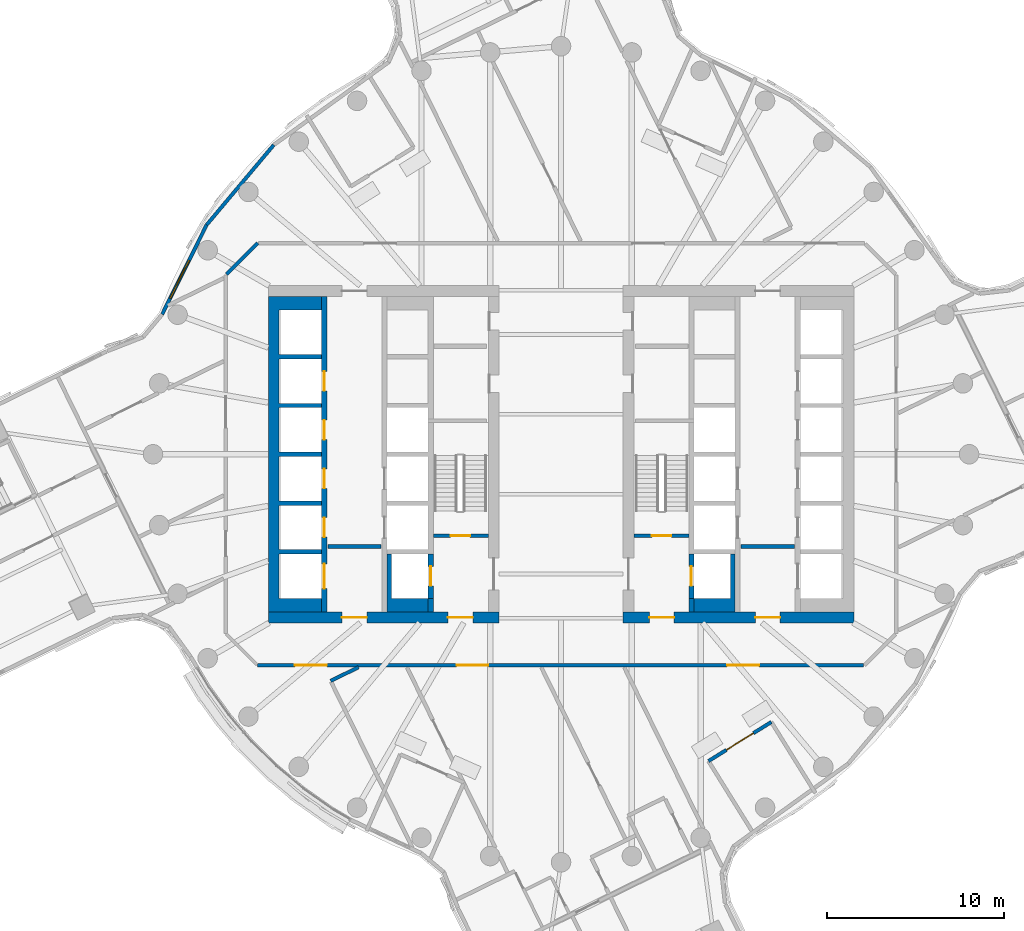
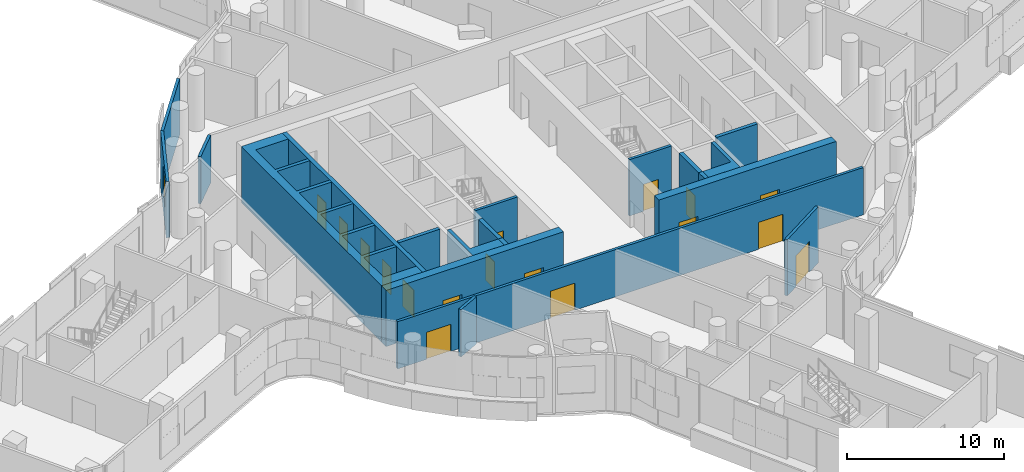
# One storey, part 12 of 23: 20 walls, 17 doors, 1 window, 18 openings.
"""IFC4 building model written with IfcOpenShell, lengths in metres."""

from ifc_helpers import new_model, si_unit, direction, frame, frame_2d, origin, place, context, subcontext, project, spatial, polyline, rectangle, outline, extrude, material, layer, layer_set, type_object, element, fill, save


model = new_model("IFC4")

# Units and contexts
model_context = context("Model", 3, precision=1e-05, world=origin(), true_north=direction((0.0, 1.0)))
body_context = subcontext(model_context, "Body", "Model", "MODEL_VIEW")
ifc_project = project(units=[si_unit("LENGTHUNIT", "METRE"), si_unit("AREAUNIT", "SQUARE_METRE"), si_unit("VOLUMEUNIT", "CUBIC_METRE"), si_unit("PLANEANGLEUNIT", "RADIAN"), si_unit("MASSUNIT", "GRAM", prefix="KILO")], contexts=[model_context])

# Site, building, storey
site_placement = place(None, origin())
site = spatial("IfcSite", under=ifc_project, at=site_placement, CompositionType="ELEMENT")
building_placement = place(site_placement, origin())
building = spatial("IfcBuilding", under=site, at=building_placement, Name="Tamarind Cross Interchange Tower", CompositionType="ELEMENT")
storey_placement = place(building_placement, frame((0.0, 0.0, 128.5)))
storey = spatial("IfcBuildingStorey", under=building, at=storey_placement, Name="L31", CompositionType="ELEMENT", Elevation=128.5)

# Wall, opening, door
ifc_material_1 = material(Name="Concrete C40", Category="concrete")
ifc_layer_1 = layer(ifc_material_1, 0.199951171875)
ifc_layer_set_1 = layer_set([ifc_layer_1], Name="Concrete C40")
wall_type_1 = type_object("IfcWallType", Name="Balcony and garden door wall", PredefinedType="SOLIDWALL", material=ifc_layer_set_1)
wall_1_placement = place(storey_placement, frame((8.310791015625, -17.294677734375, 0.0), z_axis=(0.0, 0.0, 1.0), x_axis=(0.849445624751, 0.52767616072, 0.0)))
wall_1 = element("IfcWall", 1, at=wall_1_placement, inside=storey, type_object=wall_type_1, Name="EXW-L31-WG-L31-SE", PredefinedType="SOLIDWALL", context=body_context, shape_type="SweptSolid", body=[
    extrude(rectangle(XDim=4.170166015625, YDim=0.199951171875, at=frame_2d((2.0849609375, 0.0))), origin(), (0.0, 0.0, 1.0), 4.360107421875),
])
opening_1_placement = place(wall_1_placement, frame((1.18505859375, 0.0, 0.0)))
opening_1 = element("IfcOpeningElement", 2, at=opening_1_placement, cuts=wall_1, Name="Opening D5", PredefinedType="OPENING", context=body_context, shape_type="SweptSolid", body=[
    extrude(rectangle(XDim=1.800048828125, YDim=2.39990234375, at=frame_2d((0.89990234375, 1.199951171875))), frame((0.0, 0.10986328125, 0.0), z_axis=(0.0, -1.0, 0.0), x_axis=(1.0, 0.0, 0.0)), (0.0, 0.0, 1.0), 0.219970703125),
])
ifc_material_2 = material(Name="Aluminium and toughened glass", Category="aluminium")
door_type_1 = type_object("IfcDoorType", Name="Roof garden door", OperationType="DOUBLE_DOOR_SINGLE_SWING", PredefinedType="DOOR", material=ifc_material_2)
door_1_placement = place(opening_1_placement, origin())
door_1 = element("IfcDoor", 3, at=door_1_placement, inside=storey, type_object=door_type_1, Name="DOR-L31-WG-L31-SE", OperationType="SINGLE_SWING_LEFT", OverallHeight=2.39990234375, OverallWidth=1.800048828125, PredefinedType="DOOR", context=body_context, shape_type="SweptSolid", body=[
    extrude(rectangle(XDim=1.800048828125, YDim=2.39990234375, at=frame_2d((0.89990234375, 1.199951171875))), frame((0.0, 0.02490234375, 0.0), z_axis=(0.0, -1.0, 0.0), x_axis=(1.0, 0.0, 0.0)), (0.0, 0.0, 1.0), 0.050048828125),
])
fill(opening_1, door_1)

# Wall, openings, doors
ifc_material_3 = material(Name="Concrete C70", Category="concrete")
ifc_layer_2 = layer(ifc_material_3, 0.60009765625)
ifc_layer_set_2 = layer_set([ifc_layer_2], Name="Concrete C70")
wall_type_2 = type_object("IfcWallType", Name="Core wall 600 mm Concrete C70", PredefinedType="SHEAR", material=ifc_layer_set_2)
wall_2_placement = place(storey_placement, frame((-16.5, -9.199951171875, 0.0), z_axis=(0.0, 0.0, 1.0), x_axis=(1.0, 0.0, 0.0)))
wall_2 = element("IfcWall", 4, at=wall_2_placement, inside=storey, type_object=wall_type_2, Name="Core wall CWL-L31-W-S", PredefinedType="SHEAR", context=body_context, shape_type="SweptSolid", body=[
    extrude(rectangle(XDim=13.0, YDim=0.60009765625, at=frame_2d((6.5, 0.0))), origin(), (0.0, 0.0, 1.0), 4.360107421875),
])
opening_2_placement = place(wall_2_placement, frame((4.14990234375, 0.0, 0.0)))
opening_2 = element("IfcOpeningElement", 5, at=opening_2_placement, cuts=wall_2, Name="Opening DCW1", PredefinedType="OPENING", context=body_context, shape_type="SweptSolid", body=[
    extrude(rectangle(XDim=1.39990234375, YDim=2.10009765625, at=frame_2d((0.699951171875, 1.050048828125))), frame((0.0, 0.31005859375, 0.0), z_axis=(0.0, -1.0, 0.0), x_axis=(1.0, 0.0, 0.0)), (0.0, 0.0, 1.0), 0.6201171875),
])
opening_3_placement = place(wall_2_placement, frame((10.125, 0.0, 0.0)))
opening_3 = element("IfcOpeningElement", 6, at=opening_3_placement, cuts=wall_2, Name="Opening DCWF", PredefinedType="OPENING", context=body_context, shape_type="SweptSolid", body=[
    extrude(rectangle(XDim=1.39990234375, YDim=2.10009765625, at=frame_2d((0.699951171875, 1.050048828125))), frame((0.0, 0.31005859375, 0.0), z_axis=(0.0, -1.0, 0.0), x_axis=(1.0, 0.0, 0.0)), (0.0, 0.0, 1.0), 0.6201171875),
])
ifc_material_4 = material(Name="Steel, fire-resisting", Category="steel")
door_type_2 = type_object("IfcDoorType", Name="Core fire door 1400 x 2100 FD90", OperationType="SINGLE_SWING_LEFT", PredefinedType="DOOR", material=ifc_material_4)
door_2_placement = place(opening_2_placement, origin())
door_2 = element("IfcDoor", 7, at=door_2_placement, inside=storey, type_object=door_type_2, Name="L31 lift lobby door", OperationType="SINGLE_SWING_LEFT", OverallHeight=2.10009765625, OverallWidth=1.39990234375, PredefinedType="DOOR", context=body_context, shape_type="SweptSolid", body=[
    extrude(rectangle(XDim=1.39990234375, YDim=2.10009765625, at=frame_2d((0.699951171875, 1.050048828125))), frame((0.0, 0.02490234375, 0.0), z_axis=(0.0, -1.0, 0.0), x_axis=(1.0, 0.0, 0.0)), (0.0, 0.0, 1.0), 0.050048828125),
])
fill(opening_2, door_2)
door_3_placement = place(opening_3_placement, origin())
door_3 = element("IfcDoor", 8, at=door_3_placement, inside=storey, type_object=door_type_2, Name="L31 firefighting lobby end door", OperationType="SINGLE_SWING_LEFT", OverallHeight=2.10009765625, OverallWidth=1.39990234375, PredefinedType="DOOR", context=body_context, shape_type="SweptSolid", body=[
    extrude(rectangle(XDim=1.39990234375, YDim=2.10009765625, at=frame_2d((0.699951171875, 1.050048828125))), frame((0.0, 0.02490234375, 0.0), z_axis=(0.0, -1.0, 0.0), x_axis=(1.0, 0.0, 0.0)), (0.0, 0.0, 1.0), 0.050048828125),
])
fill(opening_3, door_3)

# Wall
wall_3_placement = place(storey_placement, origin())
element("IfcWall", 9, at=wall_3_placement, inside=storey, type_object=wall_type_2, Name="Core wall CWL-L31-W-A", PredefinedType="SHEAR", context=body_context, shape_type="SweptSolid", body=[
    extrude(outline(polyline([(-13.5, -8.89990234375), (-13.5, -8.125), (-15.89990234375, -8.125), (-15.89990234375, -5.625), (-13.5, -5.625), (-13.5, -5.375), (-15.89990234375, -5.375), (-15.89990234375, -2.875), (-13.5, -2.875), (-13.5, -2.625), (-15.89990234375, -2.625), (-15.89990234375, -0.125), (-13.5, -0.125), (-13.5, 0.125), (-15.89990234375, 0.125), (-15.89990234375, 2.625), (-13.5, 2.625), (-13.5, 2.875), (-15.89990234375, 2.875), (-15.89990234375, 5.375), (-13.5, 5.375), (-13.5, 5.625), (-15.89990234375, 5.625), (-15.89990234375, 8.125), (-13.5, 8.125), (-13.5, 8.89990234375), (-15.89990234375, 8.89990234375), (-16.5, 8.89990234375), (-16.5, -8.89990234375), (-15.89990234375, -8.89990234375), (-13.5, -8.89990234375)])), origin(), (0.0, 0.0, 1.0), 4.360107421875),
])

# Wall, openings, doors
wall_4_placement = place(storey_placement, frame((16.5, -9.199951171875, 0.0), z_axis=(0.0, 0.0, 1.0), x_axis=(-1.0, 0.0, 0.0)))
wall_4 = element("IfcWall", 10, at=wall_4_placement, inside=storey, type_object=wall_type_2, Name="Core wall CWL-L31-E-S", PredefinedType="SHEAR", context=body_context, shape_type="SweptSolid", body=[
    extrude(rectangle(XDim=13.0, YDim=0.60009765625, at=frame_2d((6.5, 0.0))), origin(), (0.0, 0.0, 1.0), 4.360107421875),
])
opening_4_placement = place(wall_4_placement, frame((4.14990234375, 0.0, 0.0)))
opening_4 = element("IfcOpeningElement", 11, at=opening_4_placement, cuts=wall_4, Name="Opening DCE1", PredefinedType="OPENING", context=body_context, shape_type="SweptSolid", body=[
    extrude(rectangle(XDim=1.39990234375, YDim=2.10009765625, at=frame_2d((0.699951171875, 1.050048828125))), frame((0.0, 0.31005859375, 0.0), z_axis=(0.0, -1.0, 0.0), x_axis=(1.0, 0.0, 0.0)), (0.0, 0.0, 1.0), 0.6201171875),
])
opening_5_placement = place(wall_4_placement, frame((10.125, 0.0, 0.0)))
opening_5 = element("IfcOpeningElement", 12, at=opening_5_placement, cuts=wall_4, Name="Opening DCEF", PredefinedType="OPENING", context=body_context, shape_type="SweptSolid", body=[
    extrude(rectangle(XDim=1.39990234375, YDim=2.10009765625, at=frame_2d((0.699951171875, 1.050048828125))), frame((0.0, 0.31005859375, 0.0), z_axis=(0.0, -1.0, 0.0), x_axis=(1.0, 0.0, 0.0)), (0.0, 0.0, 1.0), 0.6201171875),
])
door_4_placement = place(opening_4_placement, origin())
door_4 = element("IfcDoor", 13, at=door_4_placement, inside=storey, type_object=door_type_2, Name="L31 lift lobby door", OperationType="SINGLE_SWING_LEFT", OverallHeight=2.10009765625, OverallWidth=1.39990234375, PredefinedType="DOOR", context=body_context, shape_type="SweptSolid", body=[
    extrude(rectangle(XDim=1.39990234375, YDim=2.10009765625, at=frame_2d((0.699951171875, 1.050048828125))), frame((0.0, 0.02490234375, 0.0), z_axis=(0.0, -1.0, 0.0), x_axis=(1.0, 0.0, 0.0)), (0.0, 0.0, 1.0), 0.050048828125),
])
fill(opening_4, door_4)
door_5_placement = place(opening_5_placement, origin())
door_5 = element("IfcDoor", 14, at=door_5_placement, inside=storey, type_object=door_type_2, Name="L31 firefighting lobby end door", OperationType="SINGLE_SWING_LEFT", OverallHeight=2.10009765625, OverallWidth=1.39990234375, PredefinedType="DOOR", context=body_context, shape_type="SweptSolid", body=[
    extrude(rectangle(XDim=1.39990234375, YDim=2.10009765625, at=frame_2d((0.699951171875, 1.050048828125))), frame((0.0, 0.02490234375, 0.0), z_axis=(0.0, -1.0, 0.0), x_axis=(1.0, 0.0, 0.0)), (0.0, 0.0, 1.0), 0.050048828125),
])
fill(opening_5, door_5)

# Walls
ifc_layer_3 = layer(ifc_material_3, 0.300048828125)
ifc_layer_set_3 = layer_set([ifc_layer_3], Name="Concrete C70")
wall_type_3 = type_object("IfcWallType", Name="Core web wall 300 mm Concrete C70", PredefinedType="SHEAR", material=ifc_layer_set_3)
wall_5_placement = place(storey_placement, origin())
element("IfcWall", 15, at=wall_5_placement, inside=storey, type_object=wall_type_3, Name="Core wall CWL-L31-W-BS", PredefinedType="SHEAR", context=body_context, shape_type="SweptSolid", body=[
    extrude(outline(polyline([(-7.5, -8.125), (-9.550048828125, -8.125), (-9.550048828125, -5.625), (-9.800048828125, -5.625), (-9.800048828125, -8.125), (-9.800048828125, -8.89990234375), (-7.5, -8.89990234375), (-7.5, -8.125)])), origin(), (0.0, 0.0, 1.0), 4.360107421875),
])
wall_6_placement = place(storey_placement, frame((-7.35009765625, -8.89990234375, 0.0), z_axis=(0.0, 0.0, 1.0), x_axis=(0.0, 1.0, 0.0)))
element("IfcWall", 16, at=wall_6_placement, inside=storey, type_object=wall_type_3, Name="Core wall CWL-L31-W-BW", PredefinedType="SHEAR", context=body_context, shape_type="SweptSolid", body=[
    extrude(rectangle(XDim=0.77490234375, YDim=0.300048828125, at=frame_2d((0.387451171875, 0.0))), origin(), (0.0, 0.0, 1.0), 4.360107421875),
])

# Wall, openings, doors
wall_7_placement = place(storey_placement, frame((-13.35009765625, -8.89990234375, 0.0), z_axis=(0.0, 0.0, 1.0), x_axis=(0.0, 1.0, 0.0)))
wall_7 = element("IfcWall", 17, at=wall_7_placement, inside=storey, type_object=wall_type_3, Name="Core wall CWL-L31-W-LA", PredefinedType="SHEAR", context=body_context, shape_type="SweptSolid", body=[
    extrude(rectangle(XDim=17.7998046875, YDim=0.300048828125, at=frame_2d((8.89990234375, 0.0))), origin(), (0.0, 0.0, 1.0), 4.360107421875),
])
opening_6_placement = place(wall_7_placement, frame((1.324951171875, 0.0, 0.0)))
opening_6 = element("IfcOpeningElement", 18, at=opening_6_placement, cuts=wall_7, Name="Opening LD1L31", PredefinedType="OPENING", context=body_context, shape_type="SweptSolid", body=[
    extrude(rectangle(XDim=1.39990234375, YDim=2.10009765625, at=frame_2d((0.699951171875, 1.050048828125))), frame((0.0, 0.159912109375, 0.0), z_axis=(0.0, -1.0, 0.0), x_axis=(1.0, 0.0, 0.0)), (0.0, 0.0, 1.0), 0.320068359375),
])
opening_7_placement = place(wall_7_placement, frame((4.22509765625, 0.0, 0.0)))
opening_7 = element("IfcOpeningElement", 19, at=opening_7_placement, cuts=wall_7, Name="Opening LD2L31", PredefinedType="OPENING", context=body_context, shape_type="SweptSolid", body=[
    extrude(rectangle(XDim=1.10009765625, YDim=2.10009765625, at=frame_2d((0.550048828125, 1.050048828125))), frame((0.0, 0.159912109375, 0.0), z_axis=(0.0, -1.0, 0.0), x_axis=(1.0, 0.0, 0.0)), (0.0, 0.0, 1.0), 0.320068359375),
])
opening_8_placement = place(wall_7_placement, frame((6.97509765625, 0.0, 0.0)))
opening_8 = element("IfcOpeningElement", 20, at=opening_8_placement, cuts=wall_7, Name="Opening LD3L31", PredefinedType="OPENING", context=body_context, shape_type="SweptSolid", body=[
    extrude(rectangle(XDim=1.10009765625, YDim=2.10009765625, at=frame_2d((0.550048828125, 1.050048828125))), frame((0.0, 0.159912109375, 0.0), z_axis=(0.0, -1.0, 0.0), x_axis=(1.0, 0.0, 0.0)), (0.0, 0.0, 1.0), 0.320068359375),
])
opening_9_placement = place(wall_7_placement, frame((9.72509765625, 0.0, 0.0)))
opening_9 = element("IfcOpeningElement", 21, at=opening_9_placement, cuts=wall_7, Name="Opening LD4L31", PredefinedType="OPENING", context=body_context, shape_type="SweptSolid", body=[
    extrude(rectangle(XDim=1.10009765625, YDim=2.10009765625, at=frame_2d((0.550048828125, 1.050048828125))), frame((0.0, 0.159912109375, 0.0), z_axis=(0.0, -1.0, 0.0), x_axis=(1.0, 0.0, 0.0)), (0.0, 0.0, 1.0), 0.320068359375),
])
opening_10_placement = place(wall_7_placement, frame((12.47509765625, 0.0, 0.0)))
opening_10 = element("IfcOpeningElement", 22, at=opening_10_placement, cuts=wall_7, Name="Opening LD5L31", PredefinedType="OPENING", context=body_context, shape_type="SweptSolid", body=[
    extrude(rectangle(XDim=1.10009765625, YDim=2.10009765625, at=frame_2d((0.550048828125, 1.050048828125))), frame((0.0, 0.159912109375, 0.0), z_axis=(0.0, -1.0, 0.0), x_axis=(1.0, 0.0, 0.0)), (0.0, 0.0, 1.0), 0.320068359375),
])
ifc_material_5 = material(Name="Stainless steel panel", Category="steel")
door_type_3 = type_object("IfcDoorType", Name="Lift landing door 1100 x 2100 E 120", OperationType="SLIDING_TO_LEFT", PredefinedType="DOOR", material=ifc_material_5)
door_6_placement = place(opening_7_placement, origin())
door_6 = element("IfcDoor", 23, at=door_6_placement, inside=storey, type_object=door_type_3, Name="L31 landing door LF2", OperationType="SLIDING_TO_LEFT", OverallHeight=2.10009765625, OverallWidth=1.10009765625, PredefinedType="DOOR", context=body_context, shape_type="SweptSolid", body=[
    extrude(rectangle(XDim=1.10009765625, YDim=2.10009765625, at=frame_2d((0.550048828125, 1.050048828125))), frame((0.0, 0.02490234375, 0.0), z_axis=(0.0, -1.0, 0.0), x_axis=(1.0, 0.0, 0.0)), (0.0, 0.0, 1.0), 0.050048828125),
])
fill(opening_7, door_6)
door_7_placement = place(opening_8_placement, origin())
door_7 = element("IfcDoor", 24, at=door_7_placement, inside=storey, type_object=door_type_3, Name="L31 landing door LF3", OperationType="SLIDING_TO_LEFT", OverallHeight=2.10009765625, OverallWidth=1.10009765625, PredefinedType="DOOR", context=body_context, shape_type="SweptSolid", body=[
    extrude(rectangle(XDim=1.10009765625, YDim=2.10009765625, at=frame_2d((0.550048828125, 1.050048828125))), frame((0.0, 0.02490234375, 0.0), z_axis=(0.0, -1.0, 0.0), x_axis=(1.0, 0.0, 0.0)), (0.0, 0.0, 1.0), 0.050048828125),
])
fill(opening_8, door_7)
door_8_placement = place(opening_9_placement, origin())
door_8 = element("IfcDoor", 25, at=door_8_placement, inside=storey, type_object=door_type_3, Name="L31 landing door LF4", OperationType="SLIDING_TO_LEFT", OverallHeight=2.10009765625, OverallWidth=1.10009765625, PredefinedType="DOOR", context=body_context, shape_type="SweptSolid", body=[
    extrude(rectangle(XDim=1.10009765625, YDim=2.10009765625, at=frame_2d((0.550048828125, 1.050048828125))), frame((0.0, 0.02490234375, 0.0), z_axis=(0.0, -1.0, 0.0), x_axis=(1.0, 0.0, 0.0)), (0.0, 0.0, 1.0), 0.050048828125),
])
fill(opening_9, door_8)
door_9_placement = place(opening_10_placement, origin())
door_9 = element("IfcDoor", 26, at=door_9_placement, inside=storey, type_object=door_type_3, Name="L31 landing door LF5", OperationType="SLIDING_TO_LEFT", OverallHeight=2.10009765625, OverallWidth=1.10009765625, PredefinedType="DOOR", context=body_context, shape_type="SweptSolid", body=[
    extrude(rectangle(XDim=1.10009765625, YDim=2.10009765625, at=frame_2d((0.550048828125, 1.050048828125))), frame((0.0, 0.02490234375, 0.0), z_axis=(0.0, -1.0, 0.0), x_axis=(1.0, 0.0, 0.0)), (0.0, 0.0, 1.0), 0.050048828125),
])
fill(opening_10, door_9)
door_type_4 = type_object("IfcDoorType", Name="Lift landing door 1400 x 2100 E 120", OperationType="SLIDING_TO_LEFT", PredefinedType="DOOR", material=ifc_material_5)
door_10_placement = place(opening_6_placement, origin())
door_10 = element("IfcDoor", 27, at=door_10_placement, inside=storey, type_object=door_type_4, Name="L31 landing door LF1", OperationType="SLIDING_TO_LEFT", OverallHeight=2.10009765625, OverallWidth=1.39990234375, PredefinedType="DOOR", context=body_context, shape_type="SweptSolid", body=[
    extrude(rectangle(XDim=1.39990234375, YDim=2.10009765625, at=frame_2d((0.699951171875, 1.050048828125))), frame((0.0, 0.02490234375, 0.0), z_axis=(0.0, -1.0, 0.0), x_axis=(1.0, 0.0, 0.0)), (0.0, 0.0, 1.0), 0.050048828125),
])
fill(opening_6, door_10)

# Wall, opening, door
wall_8_placement = place(storey_placement, frame((-7.35009765625, -8.125, 0.0), z_axis=(0.0, 0.0, 1.0), x_axis=(0.0, 1.0, 0.0)))
wall_8 = element("IfcWall", 28, at=wall_8_placement, inside=storey, type_object=wall_type_3, Name="Core wall CWL-L31-W-FF", PredefinedType="SHEAR", context=body_context, shape_type="SweptSolid", body=[
    extrude(rectangle(XDim=2.5, YDim=0.300048828125, at=frame_2d((1.25, 0.0))), origin(), (0.0, 0.0, 1.0), 4.360107421875),
])
opening_11_placement = place(wall_8_placement, frame((0.699951171875, 0.0, 0.0)))
opening_11 = element("IfcOpeningElement", 29, at=opening_11_placement, cuts=wall_8, Name="Opening LD7L31", PredefinedType="OPENING", context=body_context, shape_type="SweptSolid", body=[
    extrude(rectangle(XDim=1.10009765625, YDim=2.10009765625, at=frame_2d((0.550048828125, 1.050048828125))), frame((0.0, 0.159912109375, 0.0), z_axis=(0.0, -1.0, 0.0), x_axis=(1.0, 0.0, 0.0)), (0.0, 0.0, 1.0), 0.320068359375),
])
door_11_placement = place(opening_11_placement, origin())
door_11 = element("IfcDoor", 30, at=door_11_placement, inside=storey, type_object=door_type_3, Name="L31 landing door LF7", OperationType="SLIDING_TO_LEFT", OverallHeight=2.10009765625, OverallWidth=1.10009765625, PredefinedType="DOOR", context=body_context, shape_type="SweptSolid", body=[
    extrude(rectangle(XDim=1.10009765625, YDim=2.10009765625, at=frame_2d((0.550048828125, 1.050048828125))), frame((0.0, 0.02490234375, 0.0), z_axis=(0.0, -1.0, 0.0), x_axis=(1.0, 0.0, 0.0)), (0.0, 0.0, 1.0), 0.050048828125),
])
fill(opening_11, door_11)

# Walls
wall_9_placement = place(storey_placement, origin())
element("IfcWall", 31, at=wall_9_placement, inside=storey, type_object=wall_type_3, Name="Core wall CWL-L31-E-BS", PredefinedType="SHEAR", context=body_context, shape_type="SweptSolid", body=[
    extrude(outline(polyline([(7.5, -8.125), (7.5, -8.89990234375), (9.800048828125, -8.89990234375), (9.800048828125, -8.125), (9.800048828125, -5.625), (9.550048828125, -5.625), (9.550048828125, -8.125), (7.5, -8.125)])), origin(), (0.0, 0.0, 1.0), 4.360107421875),
])
wall_10_placement = place(storey_placement, frame((7.35009765625, -8.89990234375, 0.0), z_axis=(0.0, 0.0, 1.0), x_axis=(0.0, 1.0, 0.0)))
element("IfcWall", 32, at=wall_10_placement, inside=storey, type_object=wall_type_3, Name="Core wall CWL-L31-E-BW", PredefinedType="SHEAR", context=body_context, shape_type="SweptSolid", body=[
    extrude(rectangle(XDim=0.77490234375, YDim=0.300048828125, at=frame_2d((0.387451171875, 0.0))), origin(), (0.0, 0.0, 1.0), 4.360107421875),
])

# Wall, opening, door
wall_11_placement = place(storey_placement, frame((7.35009765625, -8.125, 0.0), z_axis=(0.0, 0.0, 1.0), x_axis=(0.0, 1.0, 0.0)))
wall_11 = element("IfcWall", 33, at=wall_11_placement, inside=storey, type_object=wall_type_3, Name="Core wall CWL-L31-E-FF", PredefinedType="SHEAR", context=body_context, shape_type="SweptSolid", body=[
    extrude(rectangle(XDim=2.5, YDim=0.300048828125, at=frame_2d((1.25, 0.0))), origin(), (0.0, 0.0, 1.0), 4.360107421875),
])
opening_12_placement = place(wall_11_placement, frame((0.699951171875, 0.0, 0.0)))
opening_12 = element("IfcOpeningElement", 34, at=opening_12_placement, cuts=wall_11, Name="Opening LD19L31", PredefinedType="OPENING", context=body_context, shape_type="SweptSolid", body=[
    extrude(rectangle(XDim=1.10009765625, YDim=2.10009765625, at=frame_2d((0.550048828125, 1.050048828125))), frame((0.0, 0.159912109375, 0.0), z_axis=(0.0, -1.0, 0.0), x_axis=(1.0, 0.0, 0.0)), (0.0, 0.0, 1.0), 0.320068359375),
])
door_12_placement = place(opening_12_placement, origin())
door_12 = element("IfcDoor", 35, at=door_12_placement, inside=storey, type_object=door_type_3, Name="L31 landing door LF19", OperationType="SLIDING_TO_LEFT", OverallHeight=2.10009765625, OverallWidth=1.10009765625, PredefinedType="DOOR", context=body_context, shape_type="SweptSolid", body=[
    extrude(rectangle(XDim=1.10009765625, YDim=2.10009765625, at=frame_2d((0.550048828125, 1.050048828125))), frame((0.0, 0.02490234375, 0.0), z_axis=(0.0, -1.0, 0.0), x_axis=(1.0, 0.0, 0.0)), (0.0, 0.0, 1.0), 0.050048828125),
])
fill(opening_12, door_12)

# Wall, openings, doors
ifc_material_6 = material(Name="Gypsum board partition on steel studs", Category="steel")
ifc_layer_4 = layer(ifc_material_6, 0.199951171875)
ifc_layer_set_4 = layer_set([ifc_layer_4], Name="Gypsum board partition on steel studs")
wall_type_4 = type_object("IfcWallType", Name="Partition 200 mm EI 180", PredefinedType="PARTITIONING", material=ifc_layer_set_4)
wall_12_placement = place(storey_placement, frame((-17.10009765625, -11.89990234375, 0.0), z_axis=(0.0, 0.0, 1.0), x_axis=(1.0, 0.0, 0.0)))
wall_12 = element("IfcWall", 36, at=wall_12_placement, inside=storey, type_object=wall_type_4, Name="Partition L31-034", PredefinedType="PARTITIONING", context=body_context, shape_type="SweptSolid", body=[
    extrude(rectangle(XDim=34.14501953125, YDim=0.199951171875, at=frame_2d((17.072509765625, 0.0))), origin(), (0.0, 0.0, 1.0), 3.659912109375),
])
opening_13_placement = place(wall_12_placement, frame((11.2109375, 0.0, 0.0)))
opening_13 = element("IfcOpeningElement", 37, at=opening_13_placement, cuts=wall_12, Name="Opening D17", PredefinedType="OPENING", context=body_context, shape_type="SweptSolid", body=[
    extrude(rectangle(XDim=1.800048828125, YDim=2.10009765625, at=frame_2d((0.89990234375, 1.050048828125))), frame((0.0, 0.10986328125, 0.0), z_axis=(0.0, -1.0, 0.0), x_axis=(1.0, 0.0, 0.0)), (0.0, 0.0, 1.0), 0.219970703125),
])
opening_14_placement = place(wall_12_placement, frame((2.10009765625, 0.0, 0.0)))
opening_14 = element("IfcOpeningElement", 38, at=opening_14_placement, cuts=wall_12, Name="Opening D18", PredefinedType="OPENING", context=body_context, shape_type="SweptSolid", body=[
    extrude(rectangle(XDim=1.800048828125, YDim=2.10009765625, at=frame_2d((0.89990234375, 1.050048828125))), frame((0.0, 0.10986328125, 0.0), z_axis=(0.0, -1.0, 0.0), x_axis=(1.0, 0.0, 0.0)), (0.0, 0.0, 1.0), 0.219970703125),
])
opening_15_placement = place(wall_12_placement, frame((26.4619140625, 0.0, 0.0)))
opening_15 = element("IfcOpeningElement", 39, at=opening_15_placement, cuts=wall_12, Name="Opening D19", PredefinedType="OPENING", context=body_context, shape_type="SweptSolid", body=[
    extrude(rectangle(XDim=1.800048828125, YDim=2.10009765625, at=frame_2d((0.89990234375, 1.050048828125))), frame((0.0, 0.10986328125, 0.0), z_axis=(0.0, -1.0, 0.0), x_axis=(1.0, 0.0, 0.0)), (0.0, 0.0, 1.0), 0.219970703125),
])
ifc_material_7 = material(Name="Fire-resisting door set")
door_type_5 = type_object("IfcDoorType", Name="Interior door 1800 x 2100 FD120S", OperationType="DOUBLE_DOOR_SINGLE_SWING", PredefinedType="DOOR", material=ifc_material_7)
door_13_placement = place(opening_13_placement, origin())
door_13 = element("IfcDoor", 40, at=door_13_placement, inside=storey, type_object=door_type_5, Name="Door D17", OperationType="DOUBLE_DOOR_SINGLE_SWING", OverallHeight=2.10009765625, OverallWidth=1.800048828125, PredefinedType="DOOR", context=body_context, shape_type="SweptSolid", body=[
    extrude(rectangle(XDim=1.800048828125, YDim=2.10009765625, at=frame_2d((0.89990234375, 1.050048828125))), frame((0.0, 0.02490234375, 0.0), z_axis=(0.0, -1.0, 0.0), x_axis=(1.0, 0.0, 0.0)), (0.0, 0.0, 1.0), 0.050048828125),
])
fill(opening_13, door_13)
door_14_placement = place(opening_14_placement, origin())
door_14 = element("IfcDoor", 41, at=door_14_placement, inside=storey, type_object=door_type_5, Name="Door D18", OperationType="DOUBLE_DOOR_SINGLE_SWING", OverallHeight=2.10009765625, OverallWidth=1.800048828125, PredefinedType="DOOR", context=body_context, shape_type="SweptSolid", body=[
    extrude(rectangle(XDim=1.800048828125, YDim=2.10009765625, at=frame_2d((0.89990234375, 1.050048828125))), frame((0.0, 0.02490234375, 0.0), z_axis=(0.0, -1.0, 0.0), x_axis=(1.0, 0.0, 0.0)), (0.0, 0.0, 1.0), 0.050048828125),
])
fill(opening_14, door_14)
door_15_placement = place(opening_15_placement, frame((1.800048828125, 0.0, 0.0), z_axis=(0.0, 0.0, 1.0), x_axis=(-1.0, 0.0, 0.0)))
door_15 = element("IfcDoor", 42, at=door_15_placement, inside=storey, type_object=door_type_5, Name="Door D19", OperationType="DOUBLE_DOOR_SINGLE_SWING", OverallHeight=2.10009765625, OverallWidth=1.800048828125, PredefinedType="DOOR", context=body_context, shape_type="SweptSolid", body=[
    extrude(rectangle(XDim=1.800048828125, YDim=2.10009765625, at=frame_2d((0.89990234375, 1.050048828125))), frame((0.0, 0.02490234375, 0.0), z_axis=(0.0, -1.0, 0.0), x_axis=(1.0, 0.0, 0.0)), (0.0, 0.0, 1.0), 0.050048828125),
])
fill(opening_15, door_15)

# Walls
wall_13_placement = place(storey_placement, frame((-12.987060546875, -12.77587890625, 0.0), z_axis=(0.0, 0.0, 1.0), x_axis=(0.897834179061, 0.440333722204, 0.0)))
element("IfcWall", 43, at=wall_13_placement, inside=storey, type_object=wall_type_4, Name="Partition L31-049", PredefinedType="PARTITIONING", context=body_context, shape_type="SweptSolid", body=[
    extrude(rectangle(XDim=1.749267578125, YDim=0.199951171875, at=frame_2d((0.87451171875, 0.0))), origin(), (0.0, 0.0, 1.0), 3.659912109375),
])
wall_14_placement = place(storey_placement, frame((-18.857666015625, 10.142333984375, 0.0), z_axis=(0.0, 0.0, 1.0), x_axis=(0.707106781187, 0.707106781187, 0.0)))
element("IfcWall", 44, at=wall_14_placement, inside=storey, type_object=wall_type_4, Name="Partition L31-070", PredefinedType="PARTITIONING", context=body_context, shape_type="SweptSolid", body=[
    extrude(rectangle(XDim=2.485595703125, YDim=0.199951171875, at=frame_2d((1.24267578125, 0.0))), origin(), (0.0, 0.0, 1.0), 3.659912109375),
])
ifc_material_8 = material(Name="Precast concrete C40", Category="concrete")
ifc_layer_5 = layer(ifc_material_8, 0.199951171875)
ifc_layer_set_5 = layer_set([ifc_layer_5], Name="Precast concrete C40")
wall_type_5 = type_object("IfcWallType", Name="Refuge level external wall", PredefinedType="SOLIDWALL", material=ifc_layer_set_5)
wall_15_placement = place(storey_placement, frame((-16.191650390625, 17.4375, 0.0), z_axis=(0.0, 0.0, 1.0), x_axis=(-0.643011155171, -0.765856810589, 0.0)))
element("IfcWall", 45, at=wall_15_placement, inside=storey, type_object=wall_type_5, Name="RFW-L31-14-04", PredefinedType="SOLIDWALL", context=body_context, shape_type="SweptSolid", body=[
    extrude(rectangle(XDim=5.88671875, YDim=0.199951171875, at=frame_2d((2.943359375, 0.0))), origin(), (0.0, 0.0, 1.0), 4.360107421875),
])

# Wall, opening, window
wall_16_placement = place(storey_placement, frame((-19.976806640625, 12.92919921875, 0.0), z_axis=(0.0, 0.0, 1.0), x_axis=(-0.444924691548, -0.895567986727, 0.0)))
wall_16 = element("IfcWall", 46, at=wall_16_placement, inside=storey, type_object=wall_type_5, Name="RFW-L31-14-05", PredefinedType="SOLIDWALL", context=body_context, shape_type="SweptSolid", body=[
    extrude(rectangle(XDim=5.635498046875, YDim=0.199951171875, at=frame_2d((2.81787109375, 0.0))), origin(), (0.0, 0.0, 1.0), 4.360107421875),
])
opening_16_placement = place(wall_16_placement, frame((2.22998046875, 0.0, 1.39990234375)))
opening_16 = element("IfcOpeningElement", 47, at=opening_16_placement, cuts=wall_16, Name="Opening W3", PredefinedType="OPENING", context=body_context, shape_type="SweptSolid", body=[
    extrude(rectangle(XDim=2.39990234375, YDim=2.10009765625, at=frame_2d((1.199951171875, 1.050048828125))), frame((0.0, 0.10986328125, 0.0), z_axis=(0.0, -1.0, 0.0), x_axis=(1.0, 0.0, 0.0)), (0.0, 0.0, 1.0), 0.219970703125),
])
ifc_material_9 = material(Name="Aluminium and fire-resisting glass", Category="aluminium")
window_type = type_object("IfcWindowType", Name="Refuge rescue window", PartitioningType="DOUBLE_PANEL_VERTICAL", PredefinedType="WINDOW", material=ifc_material_9)
window_placement = place(opening_16_placement, origin())
window = element("IfcWindow", 48, at=window_placement, inside=storey, type_object=window_type, Name="RSW-L31-14-03", OverallHeight=2.10009765625, OverallWidth=2.39990234375, PartitioningType="SINGLE_PANEL", PredefinedType="WINDOW", context=body_context, shape_type="SweptSolid", body=[
    extrude(rectangle(XDim=2.39990234375, YDim=2.10009765625, at=frame_2d((1.199951171875, 1.050048828125))), frame((0.0, 0.030029296875, 0.0), z_axis=(0.0, -1.0, 0.0), x_axis=(1.0, 0.0, 0.0)), (0.0, 0.0, 1.0), 0.06005859375),
])
fill(opening_16, window)

# Walls
ifc_layer_6 = layer(ifc_material_1, 0.25)
ifc_layer_set_6 = layer_set([ifc_layer_6], Name="Concrete C40")
wall_type_6 = type_object("IfcWallType", Name="Shaft and lobby wall 250 mm Concrete C40", PredefinedType="PARTITIONING", material=ifc_layer_set_6)
for number, where, z_axis, x_axis, name in (
    (49, (-13.14990234375, -5.199951171875, 0.0), (0.0, 0.0, 1.0), (1.0, 0.0, 0.0), "Shaft wall CWL-L31-W-EVP"),
    (50, (13.14990234375, -5.199951171875, 0.0), (0.0, 0.0, 1.0), (-1.0, 0.0, 0.0), "Shaft wall CWL-L31-E-EVP"),
):
    element("IfcWall", number, at=place(storey_placement, frame(where, z_axis=z_axis, x_axis=x_axis)), inside=storey, type_object=wall_type_6, Name=name, PredefinedType="PARTITIONING", context=body_context, shape_type="SweptSolid", body=[
        extrude(rectangle(XDim=3.0, YDim=0.25, at=frame_2d((1.5, 0.0))), origin(), (0.0, 0.0, 1.0), 4.360107421875),
    ])

# Wall, opening, door
ifc_layer_7 = layer(ifc_material_1, 0.199951171875)
ifc_layer_set_7 = layer_set([ifc_layer_7], Name="Concrete C40")
wall_type_7 = type_object("IfcWallType", Name="Stair shaft wall 200 mm Concrete C40", PredefinedType="SHEAR", material=ifc_layer_set_7)
wall_17_placement = place(storey_placement, frame((-7.199951171875, -4.60009765625, 0.0), z_axis=(0.0, 0.0, 1.0), x_axis=(1.0, 0.0, 0.0)))
wall_17 = element("IfcWall", 51, at=wall_17_placement, inside=storey, type_object=wall_type_7, Name="Core wall CWL-L31-W-SD", PredefinedType="SHEAR", context=body_context, shape_type="SweptSolid", body=[
    extrude(rectangle(XDim=3.099853515625, YDim=0.199951171875, at=frame_2d((1.5498046875, 0.0))), origin(), (0.0, 0.0, 1.0), 4.360107421875),
])
opening_17_placement = place(wall_17_placement, frame((0.97509765625, 0.0, 0.0)))
opening_17 = element("IfcOpeningElement", 52, at=opening_17_placement, cuts=wall_17, Name="Opening DCW6", PredefinedType="OPENING", context=body_context, shape_type="SweptSolid", body=[
    extrude(rectangle(XDim=1.10009765625, YDim=2.10009765625, at=frame_2d((0.550048828125, 1.050048828125))), frame((0.0, 0.10986328125, 0.0), z_axis=(0.0, -1.0, 0.0), x_axis=(1.0, 0.0, 0.0)), (0.0, 0.0, 1.0), 0.219970703125),
])
door_type_6 = type_object("IfcDoorType", Name="Core fire door 1100 x 2100 FD90", OperationType="SINGLE_SWING_LEFT", PredefinedType="DOOR", material=ifc_material_4)
door_16_placement = place(opening_17_placement, origin())
door_16 = element("IfcDoor", 53, at=door_16_placement, inside=storey, type_object=door_type_6, Name="L31 stair door", OperationType="SINGLE_SWING_LEFT", OverallHeight=2.10009765625, OverallWidth=1.10009765625, PredefinedType="DOOR", context=body_context, shape_type="SweptSolid", body=[
    extrude(rectangle(XDim=1.10009765625, YDim=2.10009765625, at=frame_2d((0.550048828125, 1.050048828125))), frame((0.0, 0.02490234375, 0.0), z_axis=(0.0, -1.0, 0.0), x_axis=(1.0, 0.0, 0.0)), (0.0, 0.0, 1.0), 0.050048828125),
])
fill(opening_17, door_16)

wall_18_placement = place(storey_placement, frame((7.199951171875, -4.60009765625, 0.0), z_axis=(0.0, 0.0, 1.0), x_axis=(-1.0, 0.0, 0.0)))
wall_18 = element("IfcWall", 54, at=wall_18_placement, inside=storey, type_object=wall_type_7, Name="Core wall CWL-L31-E-SD", PredefinedType="SHEAR", context=body_context, shape_type="SweptSolid", body=[
    extrude(rectangle(XDim=3.099853515625, YDim=0.199951171875, at=frame_2d((1.5498046875, 0.0))), origin(), (0.0, 0.0, 1.0), 4.360107421875),
])
opening_18_placement = place(wall_18_placement, frame((0.97509765625, 0.0, 0.0)))
opening_18 = element("IfcOpeningElement", 55, at=opening_18_placement, cuts=wall_18, Name="Opening DCE6", PredefinedType="OPENING", context=body_context, shape_type="SweptSolid", body=[
    extrude(rectangle(XDim=1.10009765625, YDim=2.10009765625, at=frame_2d((0.550048828125, 1.050048828125))), frame((0.0, 0.10986328125, 0.0), z_axis=(0.0, -1.0, 0.0), x_axis=(1.0, 0.0, 0.0)), (0.0, 0.0, 1.0), 0.219970703125),
])
door_17_placement = place(opening_18_placement, origin())
door_17 = element("IfcDoor", 56, at=door_17_placement, inside=storey, type_object=door_type_6, Name="L31 stair door", OperationType="SINGLE_SWING_LEFT", OverallHeight=2.10009765625, OverallWidth=1.10009765625, PredefinedType="DOOR", context=body_context, shape_type="SweptSolid", body=[
    extrude(rectangle(XDim=1.10009765625, YDim=2.10009765625, at=frame_2d((0.550048828125, 1.050048828125))), frame((0.0, 0.02490234375, 0.0), z_axis=(0.0, -1.0, 0.0), x_axis=(1.0, 0.0, 0.0)), (0.0, 0.0, 1.0), 0.050048828125),
])
fill(opening_18, door_17)

save(model, "model.ifc")
